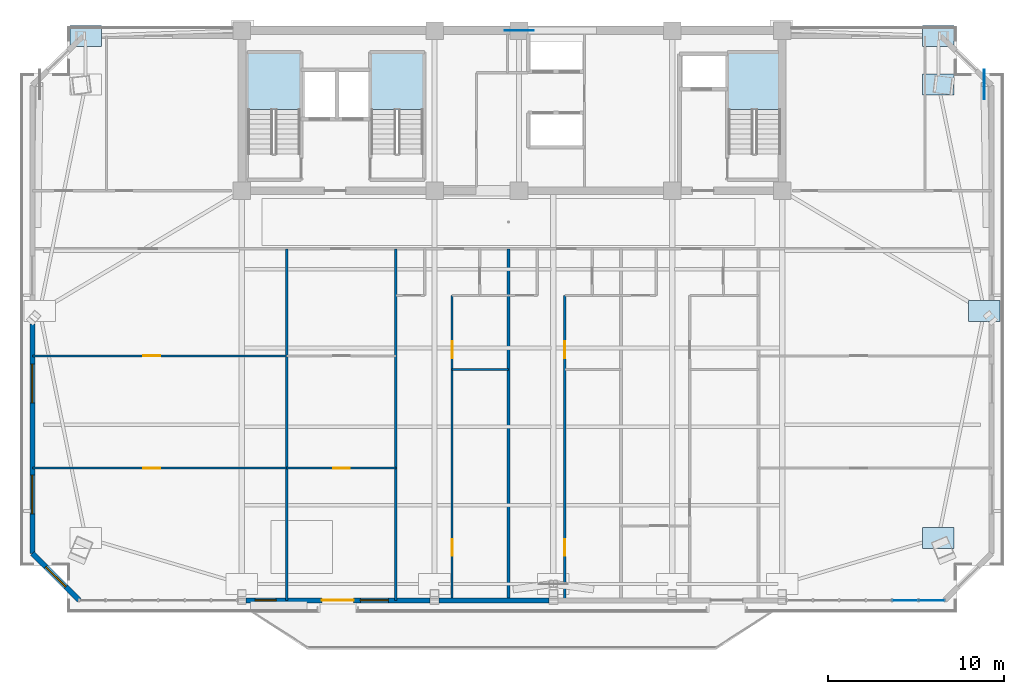
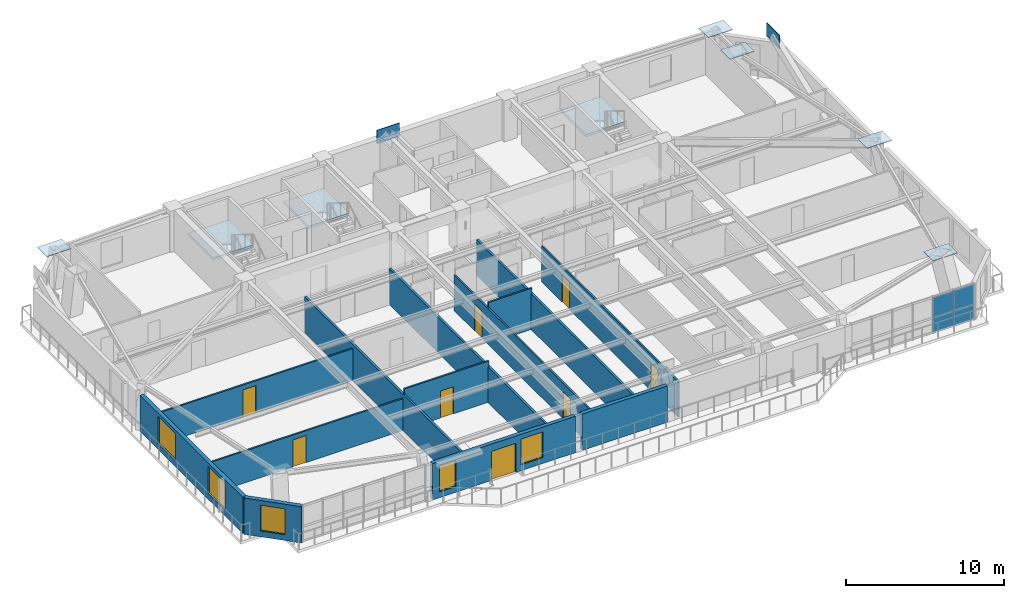
# One storey, part 8 of 18: 13 walls, 11 plates, 8 doors, 5 windows, 3 slabs, 13 openings, 4 elements without a shape of their own.
"""IFC4 building model written with IfcOpenShell, lengths in metres."""

from ifc_helpers import new_model, si_unit, direction, frame, frame_2d, origin, origin_2d, place, context, subcontext, project, spatial, polyline, rectangle, outline, extrude, source, transform, mapped, material, layer, layer_set, type_object, element, fill, aggregate, save


model = new_model("IFC4")

# Units and contexts
model_context = context("Model", 3, precision=1e-05, world=origin(), true_north=direction((0.0, 1.0)))
body_context = subcontext(model_context, "Body", "Model", "MODEL_VIEW")
ifc_project = project(units=[si_unit("LENGTHUNIT", "METRE"), si_unit("AREAUNIT", "SQUARE_METRE"), si_unit("VOLUMEUNIT", "CUBIC_METRE"), si_unit("PLANEANGLEUNIT", "RADIAN"), si_unit("MASSUNIT", "GRAM", prefix="KILO")], contexts=[model_context])

# Site, building, storey
site_placement = place(None, origin())
site = spatial("IfcSite", under=ifc_project, at=site_placement, CompositionType="ELEMENT")
building_placement = place(site_placement, origin())
building = spatial("IfcBuilding", under=site, at=building_placement, Name="Giltprow Tower", CompositionType="ELEMENT")
storey_placement = place(building_placement, frame((0.0, 0.0, 245.10009765625)))
storey = spatial("IfcBuildingStorey", under=building, at=storey_placement, Name="L62", CompositionType="ELEMENT", Elevation=245.10009765625)

# Stair, slab
ifc_material_1 = material(Name="Concrete C40", Category="concrete")
stair_type_1 = type_object("IfcStairType", Name="STR-ST-1", PredefinedType="HALF_TURN_STAIR", material=ifc_material_1)
stair_1_placement = place(storey_placement, origin())
stair_1 = element("IfcStair", 1, at=stair_1_placement, inside=storey, type_object=stair_type_1, Name="L62 Core Exit Stair ST-1", PredefinedType="HALF_TURN_STAIR")
ifc_layer_1 = layer(ifc_material_1, 0.179931640625, Name="Concrete C40")
ifc_layer_set_1 = layer_set([ifc_layer_1], Name="Concrete C40")
slab_type_1 = type_object("IfcSlabType", Name="SLD-ST-1", PredefinedType="LANDING", material=ifc_layer_set_1)
slab_1_placement = place(storey_placement, frame((0.0, 0.0, 1.52001953125)))
slab_1 = element("IfcSlab", 2, at=slab_1_placement, type_object=slab_type_1, Name="ST-1 landing 1", PredefinedType="LANDING", context=body_context, shape_type="SweptSolid", body=[
    extrude(outline(polyline([(23.159912109375, 42.070068359375), (23.159912109375, 45.25), (20.199951171875, 45.25), (20.199951171875, 42.070068359375), (23.159912109375, 42.070068359375)])), origin(), (0.0, 0.0, 1.0), 0.179931640625),
])
aggregate(stair_1, [slab_1])

stair_type_2 = type_object("IfcStairType", Name="STR-ST-2", PredefinedType="HALF_TURN_STAIR", material=ifc_material_1)
stair_2_placement = place(storey_placement, origin())
stair_2 = element("IfcStair", 3, at=stair_2_placement, inside=storey, type_object=stair_type_2, Name="L62 Core Exit Stair ST-2", PredefinedType="HALF_TURN_STAIR")
ifc_layer_2 = layer(ifc_material_1, 0.18798828125, Name="Concrete C40")
ifc_layer_set_2 = layer_set([ifc_layer_2], Name="Concrete C40")
slab_type_2 = type_object("IfcSlabType", Name="SLD-ST-2", PredefinedType="LANDING", material=ifc_layer_set_2)
slab_2_placement = place(storey_placement, frame((0.0, 0.0, 1.511962890625)))
slab_2 = element("IfcSlab", 4, at=slab_2_placement, type_object=slab_type_2, Name="ST-2 landing 1", PredefinedType="LANDING", context=body_context, shape_type="SweptSolid", body=[
    extrude(outline(polyline([(30.159912109375, 42.070068359375), (30.159912109375, 45.25), (27.199951171875, 45.25), (27.199951171875, 42.070068359375), (30.159912109375, 42.070068359375)])), origin(), (0.0, 0.0, 1.0), 0.18798828125),
])
aggregate(stair_2, [slab_2])

stair_type_3 = type_object("IfcStairType", Name="STR-ST-3", PredefinedType="HALF_TURN_STAIR", material=ifc_material_1)
stair_3_placement = place(storey_placement, origin())
stair_3 = element("IfcStair", 5, at=stair_3_placement, inside=storey, type_object=stair_type_3, Name="L62 Core Exit Stair ST-3", PredefinedType="HALF_TURN_STAIR")
ifc_layer_3 = layer(ifc_material_1, 0.196044921875, Name="Concrete C40")
ifc_layer_set_3 = layer_set([ifc_layer_3], Name="Concrete C40")
slab_type_3 = type_object("IfcSlabType", Name="SLD-ST-3", PredefinedType="LANDING", material=ifc_layer_set_3)
slab_3_placement = place(storey_placement, frame((0.0, 0.0, 1.50390625)))
slab_3 = element("IfcSlab", 6, at=slab_3_placement, type_object=slab_type_3, Name="ST-3 landing 1", PredefinedType="LANDING", context=body_context, shape_type="SweptSolid", body=[
    extrude(outline(polyline([(50.4599609375, 42.070068359375), (50.4599609375, 45.25), (47.5, 45.25), (47.5, 42.070068359375), (50.4599609375, 42.070068359375)])), origin(), (0.0, 0.0, 1.0), 0.196044921875),
])
aggregate(stair_3, [slab_3])

# Plates
ifc_material_2 = material(Name="Structural steel Q420GJC", Category="steel")
plate_type_1 = type_object("IfcPlateType", Name="PLT-NODE-CKN1", PredefinedType="USERDEFINED", material=ifc_material_2)
shared_shape_1 = source(origin(), body_context, "Body", "SweptSolid", [
    extrude(rectangle(XDim=1.800048828125, YDim=1.199951171875, at=origin_2d()), origin(), (0.0, 0.0, 1.0), 0.044921875),
])
for number, where, z_axis, x_axis, name in (
    (7, (59.422119140625, 17.72802734375, 3.142333984375), (0.0, 0.0, 1.0), (1.0, 0.0, 0.0), "CKN1 Column Taper Splice Node L62-MC_SE"),
    (8, (59.422119140625, 43.485107421875, 3.142333984375), (0.0, 0.0, 1.0), (1.0, 0.0, 0.0), "CKN1 Column Taper Splice Node L62-MC_NE"),
    (9, (62.037109375, 30.60693359375, 3.142333984375), (0.0, 0.0, 1.0), (1.0, 0.0, 0.0), "CKN1 Column Taper Splice Node L62-E_MID"),
    (10, (10.97900390625, 46.25, 3.142333984375), (0.0, 0.0, 1.0), (1.0, 0.0, 0.0), "CKN1 Column Taper Splice Node L62-N_W"),
    (11, (59.422119140625, 46.25, 3.142333984375), (0.0, 0.0, 1.0), (1.0, 0.0, 0.0), "CKN1 Column Taper Splice Node L62-N_E"),
):
    element("IfcPlate", number, at=place(storey_placement, frame(where, z_axis=z_axis, x_axis=x_axis)), inside=storey, type_object=plate_type_1, Name=name, ObjectType="SPLICE", PredefinedType="USERDEFINED", context=body_context, shape_type="MappedRepresentation", body=[
        mapped(shared_shape_1, transform((0.0, 0.0, 0.0), x_axis=(1.0, 0.0, 0.0), y_axis=(0.0, 1.0, 0.0), z_axis=(0.0, 0.0, 1.0), scale=1.0)),
    ])
plate_type_2 = type_object("IfcPlateType", Name="PLT-NODE-MBN2", PredefinedType="USERDEFINED", material=ifc_material_2)
shared_shape_2 = source(origin(), body_context, "Body", "SweptSolid", [
    extrude(rectangle(XDim=1.64990234375, YDim=0.044921875, at=origin_2d()), origin(), (0.0, 0.0, 1.0), 1.050048828125),
])
for number, where, z_axis, x_axis, name in (
    (12, (35.60009765625, 46.550048828125, 2.73486328125), (0.0, 0.0, 1.0), (1.0, 0.0, 0.0), "Mega-Brace Node L62-N-LB"),
    (13, (62.037109375, 43.485107421875, 2.875), (0.0, 0.0, 1.0), (0.0, 1.0, 0.0), "Mega-Brace Node L62-E-DB"),
):
    element("IfcPlate", number, at=place(storey_placement, frame(where, z_axis=z_axis, x_axis=x_axis)), inside=storey, type_object=plate_type_2, Name=name, ObjectType="GUSSET", PredefinedType="USERDEFINED", context=body_context, shape_type="MappedRepresentation", body=[
        mapped(shared_shape_2, transform((0.0, 0.0, 0.0), x_axis=(1.0, 0.0, 0.0), y_axis=(0.0, 1.0, 0.0), z_axis=(0.0, 0.0, 1.0), scale=1.0)),
    ])

# Curtain wall, plates
ifc_material_3 = material(Name="Anodized bronze", Category="metal")
ifc_layer_4 = layer(ifc_material_3, 0.179931640625, Name="Anodized bronze")
ifc_layer_set_4 = layer_set([ifc_layer_4], Name="Anodized bronze")
curtain_wall_type = type_object("IfcCurtainWallType", Name="CW-RES-SKY", PredefinedType="NOTDEFINED", material=ifc_layer_set_4)
curtain_wall_placement = place(storey_placement, origin())
curtain_wall = element("IfcCurtainWall", 14, at=curtain_wall_placement, inside=storey, type_object=curtain_wall_type, Name="L62 South Recessed Curtain Wall 6", PredefinedType="NOTDEFINED")
ifc_material_4 = material(Name="Insulated glass", Category="glass")
plate_type_3 = type_object("IfcPlateType", Name="CW-PANEL-IGU-28", PredefinedType="CURTAIN_PANEL", material=ifc_material_4)
shared_shape_3 = source(origin(), body_context, "Body", "SweptSolid", [
    extrude(rectangle(XDim=1.468994140625, YDim=0.028076171875, at=origin_2d()), origin(), (0.0, 0.0, 1.0), 1.114013671875),
])
plate_1_placement = place(storey_placement, frame((57.54296875, 14.181884765625, 0.0537109375), z_axis=(0.0, 0.0, 1.0), x_axis=(1.0, 0.0, 0.0)))
plate_1 = element("IfcPlate", 15, at=plate_1_placement, type_object=plate_type_3, Name="L62 South Recessed Curtain Wall 6 Glazing Panel 5-1", PredefinedType="CURTAIN_PANEL", context=body_context, shape_type="MappedRepresentation", body=[
    mapped(shared_shape_3, transform((0.0, 0.0, 0.0), x_axis=(1.0, 0.0, 0.0), y_axis=(0.0, 1.0, 0.0), z_axis=(0.0, 0.0, 1.0), scale=1.0)),
])
plate_2_placement = place(storey_placement, frame((59.0419921875, 14.181884765625, 0.0537109375), z_axis=(0.0, 0.0, 1.0), x_axis=(1.0, 0.0, 0.0)))
plate_2 = element("IfcPlate", 16, at=plate_2_placement, type_object=plate_type_3, Name="L62 South Recessed Curtain Wall 6 Glazing Panel 6-1", PredefinedType="CURTAIN_PANEL", context=body_context, shape_type="MappedRepresentation", body=[
    mapped(shared_shape_3, transform((0.0, 0.0, 0.0), x_axis=(1.0, 0.0, 0.0), y_axis=(0.0, 1.0, 0.0), z_axis=(0.0, 0.0, 1.0), scale=1.0)),
])
shared_shape_4 = source(origin(), body_context, "Body", "SweptSolid", [
    extrude(rectangle(XDim=1.468994140625, YDim=0.028076171875, at=origin_2d()), origin(), (0.0, 0.0, 1.0), 1.56494140625),
])
plate_3_placement = place(storey_placement, frame((57.54296875, 14.181884765625, 1.196533203125), z_axis=(0.0, 0.0, 1.0), x_axis=(1.0, 0.0, 0.0)))
plate_3 = element("IfcPlate", 17, at=plate_3_placement, type_object=plate_type_3, Name="L62 South Recessed Curtain Wall 6 Glazing Panel 5-2", PredefinedType="CURTAIN_PANEL", context=body_context, shape_type="MappedRepresentation", body=[
    mapped(shared_shape_4, transform((0.0, 0.0, 0.0), x_axis=(1.0, 0.0, 0.0), y_axis=(0.0, 1.0, 0.0), z_axis=(0.0, 0.0, 1.0), scale=1.0)),
])
plate_4_placement = place(storey_placement, frame((59.0419921875, 14.181884765625, 1.196533203125), z_axis=(0.0, 0.0, 1.0), x_axis=(1.0, 0.0, 0.0)))
plate_4 = element("IfcPlate", 18, at=plate_4_placement, type_object=plate_type_3, Name="L62 South Recessed Curtain Wall 6 Glazing Panel 6-2", PredefinedType="CURTAIN_PANEL", context=body_context, shape_type="MappedRepresentation", body=[
    mapped(shared_shape_4, transform((0.0, 0.0, 0.0), x_axis=(1.0, 0.0, 0.0), y_axis=(0.0, 1.0, 0.0), z_axis=(0.0, 0.0, 1.0), scale=1.0)),
])
aggregate(curtain_wall, [plate_1, plate_3, plate_2, plate_4])

# Wall, opening, window
ifc_material_5 = material(Name="Precast concrete C40", Category="concrete")
ifc_layer_5 = layer(ifc_material_5, 0.300048828125, Name="Precast concrete C40")
ifc_layer_set_5 = layer_set([ifc_layer_5], Name="Precast concrete C40")
wall_type_1 = type_object("IfcWallType", Name="EW-NOTCH-CHAMFER-300", PredefinedType="SOLIDWALL", material=ifc_layer_set_5)
wall_1_placement = place(storey_placement, frame((7.947998046875, 16.843017578125, 0.0), z_axis=(0.0, 0.0, 1.0), x_axis=(0.707074342864, -0.707139218021, 0.0)))
wall_1 = element("IfcWall", 19, at=wall_1_placement, inside=storey, type_object=wall_type_1, Name="L62 Corner Notch Wall SW", PredefinedType="SOLIDWALL", context=body_context, shape_type="SweptSolid", body=[
    extrude(rectangle(XDim=3.76318359375, YDim=0.300048828125, at=frame_2d((1.881591796875, 0.0))), origin(), (0.0, 0.0, 1.0), 2.81494140625),
])
opening_1_placement = place(wall_1_placement, frame((1.08203125, 0.0, 0.449951171875)))
opening_1 = element("IfcOpeningElement", 20, at=opening_1_placement, cuts=wall_1, Name="Opening WN17", PredefinedType="OPENING", context=body_context, shape_type="SweptSolid", body=[
    extrude(rectangle(XDim=1.60009765625, YDim=2.0, at=frame_2d((0.800048828125, 1.0))), frame((0.0, 0.159912109375, 0.0), z_axis=(0.0, -1.0, 0.0), x_axis=(1.0, 0.0, 0.0)), (0.0, 0.0, 1.0), 0.320068359375),
])
window_type_1 = type_object("IfcWindowType", Name="WN-COR-1600x2000", PartitioningType="SINGLE_PANEL", PredefinedType="WINDOW", material=ifc_material_4)
shared_shape_5 = source(origin(), body_context, "Body", "SweptSolid", [
    extrude(rectangle(XDim=1.60009765625, YDim=2.0, at=frame_2d((0.800048828125, 1.0))), frame((0.0, 0.030029296875, 0.0), z_axis=(0.0, -1.0, 0.0), x_axis=(1.0, 0.0, 0.0)), (0.0, 0.0, 1.0), 0.06005859375),
])
window_1_placement = place(opening_1_placement, origin())
window_1 = element("IfcWindow", 21, at=window_1_placement, inside=storey, type_object=window_type_1, Name="L62 Corner Notch Window SW", OverallHeight=2.0, OverallWidth=1.60009765625, PartitioningType="SINGLE_PANEL", PredefinedType="WINDOW", context=body_context, shape_type="MappedRepresentation", body=[
    mapped(shared_shape_5, transform((0.0, 0.0, 0.0), x_axis=(1.0, 0.0, 0.0), y_axis=(0.0, 1.0, 0.0), z_axis=(0.0, 0.0, 1.0), scale=1.0)),
])
fill(opening_1, window_1)

# Wall, openings, windows, door
ifc_layer_6 = layer(ifc_material_5, 0.280029296875, Name="Precast concrete C40")
ifc_layer_set_6 = layer_set([ifc_layer_6], Name="Precast concrete C40")
wall_type_2 = type_object("IfcWallType", Name="EW-TOW-BRONZE-280", PredefinedType="SOLIDWALL", material=ifc_layer_set_6)
wall_2_placement = place(storey_placement, frame((20.10009765625, 14.181884765625, 0.0), z_axis=(0.0, 0.0, 1.0), x_axis=(1.0, 0.0, 0.0)))
wall_2 = element("IfcWall", 22, at=wall_2_placement, inside=storey, type_object=wall_type_2, Name="L62 South Expressed Frame Wall 2", PredefinedType="SOLIDWALL", context=body_context, shape_type="SweptSolid", body=[
    extrude(rectangle(XDim=10.449951171875, YDim=0.280029296875, at=frame_2d((5.22509765625, 0.0))), origin(), (0.0, 0.0, 1.0), 2.81494140625),
])
opening_2_placement = place(wall_2_placement, frame((4.300048828125, 0.0, 0.0)))
opening_2 = element("IfcOpeningElement", 23, at=opening_2_placement, cuts=wall_2, Name="Opening ED25", PredefinedType="OPENING", context=body_context, shape_type="SweptSolid", body=[
    extrude(rectangle(XDim=1.800048828125, YDim=2.25, at=frame_2d((0.89990234375, 1.125))), frame((0.0, 0.14990234375, 0.0), z_axis=(0.0, -1.0, 0.0), x_axis=(1.0, 0.0, 0.0)), (0.0, 0.0, 1.0), 0.300048828125),
])
opening_3_placement = place(wall_2_placement, frame((0.5048828125, 0.0, 0.449951171875)))
opening_3 = element("IfcOpeningElement", 24, at=opening_3_placement, cuts=wall_2, Name="Opening WN11", PredefinedType="OPENING", context=body_context, shape_type="SweptSolid", body=[
    extrude(rectangle(XDim=1.199951171875, YDim=2.0, at=frame_2d((0.60009765625, 1.0))), frame((0.0, 0.14990234375, 0.0), z_axis=(0.0, -1.0, 0.0), x_axis=(1.0, 0.0, 0.0)), (0.0, 0.0, 1.0), 0.300048828125),
])
opening_4_placement = place(wall_2_placement, frame((6.47998046875, 0.0, 0.449951171875)))
opening_4 = element("IfcOpeningElement", 25, at=opening_4_placement, cuts=wall_2, Name="Opening WN17", PredefinedType="OPENING", context=body_context, shape_type="SweptSolid", body=[
    extrude(rectangle(XDim=1.60009765625, YDim=2.0, at=frame_2d((0.800048828125, 1.0))), frame((0.0, 0.14990234375, 0.0), z_axis=(0.0, -1.0, 0.0), x_axis=(1.0, 0.0, 0.0)), (0.0, 0.0, 1.0), 0.300048828125),
])
window_2_placement = place(opening_4_placement, origin())
window_2 = element("IfcWindow", 26, at=window_2_placement, inside=storey, type_object=window_type_1, Name="L62 South Window 2B", OverallHeight=2.0, OverallWidth=1.60009765625, PartitioningType="SINGLE_PANEL", PredefinedType="WINDOW", context=body_context, shape_type="MappedRepresentation", body=[
    mapped(shared_shape_5, transform((0.0, 0.0, 0.0), x_axis=(1.0, 0.0, 0.0), y_axis=(0.0, 1.0, 0.0), z_axis=(0.0, 0.0, 1.0), scale=1.0)),
])
fill(opening_4, window_2)
ifc_material_6 = material(Name="Anodized bronze and glass", Category="glass")
door_type_1 = type_object("IfcDoorType", Name="DR-BALC-SLIDE-1800", OperationType="SLIDING_TO_LEFT", PredefinedType="DOOR", material=ifc_material_6)
shared_shape_6 = source(origin(), body_context, "Body", "SweptSolid", [
    extrude(rectangle(XDim=1.800048828125, YDim=2.25, at=frame_2d((0.89990234375, 1.125))), frame((0.0, 0.02490234375, 0.0), z_axis=(0.0, -1.0, 0.0), x_axis=(1.0, 0.0, 0.0)), (0.0, 0.0, 1.0), 0.050048828125),
])
door_1_placement = place(opening_2_placement, origin())
door_1 = element("IfcDoor", 27, at=door_1_placement, inside=storey, type_object=door_type_1, Name="L62 Waterfront Balcony Sliding Door 1", OperationType="SLIDING_TO_LEFT", OverallHeight=2.25, OverallWidth=1.800048828125, PredefinedType="DOOR", context=body_context, shape_type="MappedRepresentation", body=[
    mapped(shared_shape_6, transform((0.0, 0.0, 0.0), x_axis=(1.0, 0.0, 0.0), y_axis=(0.0, 1.0, 0.0), z_axis=(0.0, 0.0, 1.0), scale=1.0)),
])
fill(opening_2, door_1)
window_type_2 = type_object("IfcWindowType", Name="WN-LANCET-1200x2000", PartitioningType="SINGLE_PANEL", PredefinedType="WINDOW", material=ifc_material_4)
shared_shape_7 = source(origin(), body_context, "Body", "SweptSolid", [
    extrude(rectangle(XDim=1.199951171875, YDim=2.0, at=frame_2d((0.60009765625, 1.0))), frame((0.0, 0.030029296875, 0.0), z_axis=(0.0, -1.0, 0.0), x_axis=(1.0, 0.0, 0.0)), (0.0, 0.0, 1.0), 0.06005859375),
])
window_3_placement = place(opening_3_placement, origin())
window_3 = element("IfcWindow", 28, at=window_3_placement, inside=storey, type_object=window_type_2, Name="L62 South Window 2A", OverallHeight=2.0, OverallWidth=1.199951171875, PartitioningType="SINGLE_PANEL", PredefinedType="WINDOW", context=body_context, shape_type="MappedRepresentation", body=[
    mapped(shared_shape_7, transform((0.0, 0.0, 0.0), x_axis=(1.0, 0.0, 0.0), y_axis=(0.0, 1.0, 0.0), z_axis=(0.0, 0.0, 1.0), scale=1.0)),
])
fill(opening_3, window_3)

# Wall
wall_3_placement = place(storey_placement, frame((31.050048828125, 14.181884765625, 0.0), z_axis=(0.0, 0.0, 1.0), x_axis=(1.0, 0.0, 0.0)))
element("IfcWall", 29, at=wall_3_placement, inside=storey, type_object=wall_type_2, Name="L62 South Expressed Frame Wall 3", PredefinedType="SOLIDWALL", context=body_context, shape_type="SweptSolid", body=[
    extrude(rectangle(XDim=6.25, YDim=0.280029296875, at=frame_2d((3.125, 0.0))), origin(), (0.0, 0.0, 1.0), 2.81494140625),
])

# Wall, openings, windows
wall_4_placement = place(storey_placement, frame((7.947998046875, 16.843017578125, 0.0), z_axis=(0.0, 0.0, 1.0), x_axis=(0.0, 1.0, 0.0)))
wall_4 = element("IfcWall", 30, at=wall_4_placement, inside=storey, type_object=wall_type_2, Name="L62 W Wing Masonry Wall 1", PredefinedType="SOLIDWALL", context=body_context, shape_type="SweptSolid", body=[
    extrude(rectangle(XDim=13.048095703125, YDim=0.280029296875, at=frame_2d((6.52392578125, 0.0))), origin(), (0.0, 0.0, 1.0), 2.81494140625),
])
opening_5_placement = place(wall_4_placement, frame((2.2470703125, 0.0, 0.449951171875)))
opening_5 = element("IfcOpeningElement", 31, at=opening_5_placement, cuts=wall_4, Name="Opening WN27", PredefinedType="OPENING", context=body_context, shape_type="SweptSolid", body=[
    extrude(rectangle(XDim=2.199951171875, YDim=2.10009765625, at=frame_2d((1.10009765625, 1.050048828125))), frame((0.0, 0.14990234375, 0.0), z_axis=(0.0, -1.0, 0.0), x_axis=(1.0, 0.0, 0.0)), (0.0, 0.0, 1.0), 0.300048828125),
])
opening_6_placement = place(wall_4_placement, frame((8.555908203125, 0.0, 0.449951171875)))
opening_6 = element("IfcOpeningElement", 32, at=opening_6_placement, cuts=wall_4, Name="Opening WN27", PredefinedType="OPENING", context=body_context, shape_type="SweptSolid", body=[
    extrude(rectangle(XDim=2.199951171875, YDim=2.10009765625, at=frame_2d((1.10009765625, 1.050048828125))), frame((0.0, 0.14990234375, 0.0), z_axis=(0.0, -1.0, 0.0), x_axis=(1.0, 0.0, 0.0)), (0.0, 0.0, 1.0), 0.300048828125),
])
window_type_3 = type_object("IfcWindowType", Name="WN-RES-2200x2100", PartitioningType="TRIPLE_PANEL_VERTICAL", PredefinedType="WINDOW", material=ifc_material_4)
shared_shape_8 = source(origin(), body_context, "Body", "SweptSolid", [
    extrude(rectangle(XDim=2.199951171875, YDim=2.10009765625, at=frame_2d((1.10009765625, 1.050048828125))), frame((0.0, 0.030029296875, 0.0), z_axis=(0.0, -1.0, 0.0), x_axis=(1.0, 0.0, 0.0)), (0.0, 0.0, 1.0), 0.06005859375),
])
window_4_placement = place(opening_5_placement, origin())
window_4 = element("IfcWindow", 33, at=window_4_placement, inside=storey, type_object=window_type_3, Name="L62 W Wing Window 1-1A", OverallHeight=2.10009765625, OverallWidth=2.199951171875, PartitioningType="SINGLE_PANEL", PredefinedType="WINDOW", context=body_context, shape_type="MappedRepresentation", body=[
    mapped(shared_shape_8, transform((0.0, 0.0, 0.0), x_axis=(1.0, 0.0, 0.0), y_axis=(0.0, 1.0, 0.0), z_axis=(0.0, 0.0, 1.0), scale=1.0)),
])
fill(opening_5, window_4)
window_5_placement = place(opening_6_placement, origin())
window_5 = element("IfcWindow", 34, at=window_5_placement, inside=storey, type_object=window_type_3, Name="L62 W Wing Window 1-1B", OverallHeight=2.10009765625, OverallWidth=2.199951171875, PartitioningType="SINGLE_PANEL", PredefinedType="WINDOW", context=body_context, shape_type="MappedRepresentation", body=[
    mapped(shared_shape_8, transform((0.0, 0.0, 0.0), x_axis=(1.0, 0.0, 0.0), y_axis=(0.0, 1.0, 0.0), z_axis=(0.0, 0.0, 1.0), scale=1.0)),
])
fill(opening_6, window_5)

# Walls
ifc_material_7 = material(Name="Gypsum stud partition", Category="gypsum")
ifc_layer_7 = layer(ifc_material_7, 0.159912109375, Name="Gypsum stud partition")
ifc_layer_set_7 = layer_set([ifc_layer_7], Name="Gypsum stud partition")
wall_type_3 = type_object("IfcWallType", Name="IW-DEMISE-160", PredefinedType="PARTITIONING", material=ifc_layer_set_7)
for number, where, z_axis, x_axis, name in (
    (35, (22.39990234375, 14.181884765625, 0.0), (0.0, 0.0, 1.0), (0.0, 1.0, 0.0), "L62 Apartment Party Wall 1"),
    (36, (28.60009765625, 14.181884765625, 0.0), (0.0, 0.0, 1.0), (0.0, 1.0, 0.0), "L62 Apartment Party Wall 2"),
    (37, (35.0, 14.181884765625, 0.0), (0.0, 0.0, 1.0), (0.0, 1.0, 0.0), "L62 Apartment Party Wall 3"),
):
    element("IfcWall", number, at=place(storey_placement, frame(where, z_axis=z_axis, x_axis=x_axis)), inside=storey, type_object=wall_type_3, Name=name, PredefinedType="PARTITIONING", context=body_context, shape_type="SweptSolid", body=[
        extrude(rectangle(XDim=19.968017578125, YDim=0.159912109375, at=frame_2d((9.98388671875, 0.0))), origin(), (0.0, 0.0, 1.0), 2.77001953125),
    ])

# Wall, opening, door
ifc_layer_8 = layer(ifc_material_7, 0.1201171875, Name="Gypsum stud partition")
ifc_layer_set_8 = layer_set([ifc_layer_8], Name="Gypsum stud partition")
wall_type_4 = type_object("IfcWallType", Name="IW-ROOM-120", PredefinedType="PARTITIONING", material=ifc_layer_set_8)
wall_5_placement = place(storey_placement, frame((7.947998046875, 21.68994140625, 0.0), z_axis=(0.0, 0.0, 1.0), x_axis=(1.0, 0.0, 0.0)))
wall_5 = element("IfcWall", 38, at=wall_5_placement, inside=storey, type_object=wall_type_4, Name="L62 Special Split 1", PredefinedType="PARTITIONING", context=body_context, shape_type="SweptSolid", body=[
    extrude(rectangle(XDim=14.451904296875, YDim=0.1201171875, at=frame_2d((7.22607421875, 0.0))), origin(), (0.0, 0.0, 1.0), 2.469970703125),
])
opening_7_placement = place(wall_5_placement, frame((6.31591796875, 0.0, 0.0)))
opening_7 = element("IfcOpeningElement", 39, at=opening_7_placement, cuts=wall_5, Name="Opening ID11", PredefinedType="OPENING", context=body_context, shape_type="SweptSolid", body=[
    extrude(rectangle(XDim=0.949951171875, YDim=2.10009765625, at=frame_2d((0.47509765625, 1.050048828125))), frame((0.0, 0.070068359375, 0.0), z_axis=(0.0, -1.0, 0.0), x_axis=(1.0, 0.0, 0.0)), (0.0, 0.0, 1.0), 0.14013671875),
])
ifc_material_8 = material(Name="Engineered timber", Category="wood")
door_type_2 = type_object("IfcDoorType", Name="DR-ROOM-950", OperationType="SINGLE_SWING_RIGHT", PredefinedType="DOOR", material=ifc_material_8)
shared_shape_9 = source(origin(), body_context, "Body", "SweptSolid", [
    extrude(rectangle(XDim=0.949951171875, YDim=2.10009765625, at=frame_2d((0.47509765625, 1.050048828125))), frame((0.0, 0.02490234375, 0.0), z_axis=(0.0, -1.0, 0.0), x_axis=(1.0, 0.0, 0.0)), (0.0, 0.0, 1.0), 0.050048828125),
])
door_2_placement = place(opening_7_placement, origin())
door_2 = element("IfcDoor", 40, at=door_2_placement, inside=storey, type_object=door_type_2, Name="L62 Residents Home Office 1 South Door", OperationType="SINGLE_SWING_RIGHT", OverallHeight=2.10009765625, OverallWidth=0.949951171875, PredefinedType="DOOR", context=body_context, shape_type="MappedRepresentation", body=[
    mapped(shared_shape_9, transform((0.0, 0.0, 0.0), x_axis=(1.0, 0.0, 0.0), y_axis=(0.0, 1.0, 0.0), z_axis=(0.0, 0.0, 1.0), scale=1.0)),
])
fill(opening_7, door_2)

wall_6_placement = place(storey_placement, frame((7.947998046875, 28.068115234375, 0.0), z_axis=(0.0, 0.0, 1.0), x_axis=(1.0, 0.0, 0.0)))
wall_6 = element("IfcWall", 41, at=wall_6_placement, inside=storey, type_object=wall_type_4, Name="L62 Special Split 2", PredefinedType="PARTITIONING", context=body_context, shape_type="SweptSolid", body=[
    extrude(rectangle(XDim=14.451904296875, YDim=0.1201171875, at=frame_2d((7.22607421875, 0.0))), origin(), (0.0, 0.0, 1.0), 2.469970703125),
])
opening_8_placement = place(wall_6_placement, frame((6.31591796875, 0.0, 0.0)))
opening_8 = element("IfcOpeningElement", 42, at=opening_8_placement, cuts=wall_6, Name="Opening ID11", PredefinedType="OPENING", context=body_context, shape_type="SweptSolid", body=[
    extrude(rectangle(XDim=0.949951171875, YDim=2.10009765625, at=frame_2d((0.47509765625, 1.050048828125))), frame((0.0, 0.070068359375, 0.0), z_axis=(0.0, -1.0, 0.0), x_axis=(1.0, 0.0, 0.0)), (0.0, 0.0, 1.0), 0.14013671875),
])
door_3_placement = place(opening_8_placement, origin())
door_3 = element("IfcDoor", 43, at=door_3_placement, inside=storey, type_object=door_type_2, Name="L62 Residents Home Office 1 Mid Door", OperationType="SINGLE_SWING_LEFT", OverallHeight=2.10009765625, OverallWidth=0.949951171875, PredefinedType="DOOR", context=body_context, shape_type="MappedRepresentation", body=[
    mapped(shared_shape_9, transform((0.0, 0.0, 0.0), x_axis=(1.0, 0.0, 0.0), y_axis=(0.0, 1.0, 0.0), z_axis=(0.0, 0.0, 1.0), scale=1.0)),
])
fill(opening_8, door_3)

wall_7_placement = place(storey_placement, frame((22.39990234375, 21.68994140625, 0.0), z_axis=(0.0, 0.0, 1.0), x_axis=(1.0, 0.0, 0.0)))
wall_7 = element("IfcWall", 44, at=wall_7_placement, inside=storey, type_object=wall_type_4, Name="L62 Special Split 1", PredefinedType="PARTITIONING", context=body_context, shape_type="SweptSolid", body=[
    extrude(rectangle(XDim=6.2001953125, YDim=0.1201171875, at=frame_2d((3.10009765625, 0.0))), origin(), (0.0, 0.0, 1.0), 3.184814453125),
])
opening_9_placement = place(wall_7_placement, frame((2.64599609375, 0.0, 0.0)))
opening_9 = element("IfcOpeningElement", 45, at=opening_9_placement, cuts=wall_7, Name="Opening ID11", PredefinedType="OPENING", context=body_context, shape_type="SweptSolid", body=[
    extrude(rectangle(XDim=0.949951171875, YDim=2.10009765625, at=frame_2d((0.47509765625, 1.050048828125))), frame((0.0, 0.070068359375, 0.0), z_axis=(0.0, -1.0, 0.0), x_axis=(1.0, 0.0, 0.0)), (0.0, 0.0, 1.0), 0.14013671875),
])
door_4_placement = place(opening_9_placement, origin())
door_4 = element("IfcDoor", 46, at=door_4_placement, inside=storey, type_object=door_type_2, Name="L62 Legal Study Office 2 South Door", OperationType="SINGLE_SWING_LEFT", OverallHeight=2.10009765625, OverallWidth=0.949951171875, PredefinedType="DOOR", context=body_context, shape_type="MappedRepresentation", body=[
    mapped(shared_shape_9, transform((0.0, 0.0, 0.0), x_axis=(1.0, 0.0, 0.0), y_axis=(0.0, 1.0, 0.0), z_axis=(0.0, 0.0, 1.0), scale=1.0)),
])
fill(opening_9, door_4)

# Wall, openings, doors
wall_8_placement = place(storey_placement, frame((31.800048828125, 14.181884765625, 0.0), z_axis=(0.0, 0.0, 1.0), x_axis=(0.0, 1.0, 0.0)))
wall_8 = element("IfcWall", 47, at=wall_8_placement, inside=storey, type_object=wall_type_4, Name="L62 Unit 1 Bedroom Wall", PredefinedType="PARTITIONING", context=body_context, shape_type="SweptSolid", body=[
    extrude(rectangle(XDim=17.318115234375, YDim=0.1201171875, at=frame_2d((8.6591796875, 0.0))), origin(), (0.0, 0.0, 1.0), 2.77001953125),
])
opening_10_placement = place(wall_8_placement, frame((2.52099609375, 0.0, 0.0)))
opening_10 = element("IfcOpeningElement", 48, at=opening_10_placement, cuts=wall_8, Name="Opening ID11", PredefinedType="OPENING", context=body_context, shape_type="SweptSolid", body=[
    extrude(rectangle(XDim=0.949951171875, YDim=2.10009765625, at=frame_2d((0.47509765625, 1.050048828125))), frame((0.0, 0.070068359375, 0.0), z_axis=(0.0, -1.0, 0.0), x_axis=(1.0, 0.0, 0.0)), (0.0, 0.0, 1.0), 0.14013671875),
])
opening_11_placement = place(wall_8_placement, frame((13.758056640625, 0.0, 0.0)))
opening_11 = element("IfcOpeningElement", 49, at=opening_11_placement, cuts=wall_8, Name="Opening ID11", PredefinedType="OPENING", context=body_context, shape_type="SweptSolid", body=[
    extrude(rectangle(XDim=0.949951171875, YDim=2.10009765625, at=frame_2d((0.47509765625, 1.050048828125))), frame((0.0, 0.070068359375, 0.0), z_axis=(0.0, -1.0, 0.0), x_axis=(1.0, 0.0, 0.0)), (0.0, 0.0, 1.0), 0.14013671875),
])
door_5_placement = place(opening_10_placement, origin())
door_5 = element("IfcDoor", 50, at=door_5_placement, inside=storey, type_object=door_type_2, Name="L62 Unit 1 Primary Bedroom Door", OperationType="SINGLE_SWING_LEFT", OverallHeight=2.10009765625, OverallWidth=0.949951171875, PredefinedType="DOOR", context=body_context, shape_type="MappedRepresentation", body=[
    mapped(shared_shape_9, transform((0.0, 0.0, 0.0), x_axis=(1.0, 0.0, 0.0), y_axis=(0.0, 1.0, 0.0), z_axis=(0.0, 0.0, 1.0), scale=1.0)),
])
fill(opening_10, door_5)
door_6_placement = place(opening_11_placement, origin())
door_6 = element("IfcDoor", 51, at=door_6_placement, inside=storey, type_object=door_type_2, Name="L62 Unit 1 Second Bedroom Door", OperationType="SINGLE_SWING_RIGHT", OverallHeight=2.10009765625, OverallWidth=0.949951171875, PredefinedType="DOOR", context=body_context, shape_type="MappedRepresentation", body=[
    mapped(shared_shape_9, transform((0.0, 0.0, 0.0), x_axis=(1.0, 0.0, 0.0), y_axis=(0.0, 1.0, 0.0), z_axis=(0.0, 0.0, 1.0), scale=1.0)),
])
fill(opening_11, door_6)

# Wall
wall_9_placement = place(storey_placement, frame((31.800048828125, 27.300048828125, 0.0), z_axis=(0.0, 0.0, 1.0), x_axis=(1.0, 0.0, 0.0)))
element("IfcWall", 52, at=wall_9_placement, inside=storey, type_object=wall_type_4, Name="L62 Unit 1 Second Bedroom Wall", PredefinedType="PARTITIONING", context=body_context, shape_type="SweptSolid", body=[
    extrude(rectangle(XDim=3.199951171875, YDim=0.1201171875, at=frame_2d((1.60009765625, 0.0))), origin(), (0.0, 0.0, 1.0), 3.184814453125),
])

# Wall, openings, doors
wall_10_placement = place(storey_placement, frame((38.199951171875, 14.181884765625, 0.0), z_axis=(0.0, 0.0, 1.0), x_axis=(0.0, 1.0, 0.0)))
wall_10 = element("IfcWall", 53, at=wall_10_placement, inside=storey, type_object=wall_type_4, Name="L62 Unit 2 Bedroom Wall", PredefinedType="PARTITIONING", context=body_context, shape_type="SweptSolid", body=[
    extrude(rectangle(XDim=17.318115234375, YDim=0.1201171875, at=frame_2d((8.6591796875, 0.0))), origin(), (0.0, 0.0, 1.0), 2.77001953125),
])
opening_12_placement = place(wall_10_placement, frame((2.52099609375, 0.0, 0.0)))
opening_12 = element("IfcOpeningElement", 54, at=opening_12_placement, cuts=wall_10, Name="Opening ID11", PredefinedType="OPENING", context=body_context, shape_type="SweptSolid", body=[
    extrude(rectangle(XDim=0.949951171875, YDim=2.10009765625, at=frame_2d((0.47509765625, 1.050048828125))), frame((0.0, 0.070068359375, 0.0), z_axis=(0.0, -1.0, 0.0), x_axis=(1.0, 0.0, 0.0)), (0.0, 0.0, 1.0), 0.14013671875),
])
opening_13_placement = place(wall_10_placement, frame((13.758056640625, 0.0, 0.0)))
opening_13 = element("IfcOpeningElement", 55, at=opening_13_placement, cuts=wall_10, Name="Opening ID11", PredefinedType="OPENING", context=body_context, shape_type="SweptSolid", body=[
    extrude(rectangle(XDim=0.949951171875, YDim=2.10009765625, at=frame_2d((0.47509765625, 1.050048828125))), frame((0.0, 0.070068359375, 0.0), z_axis=(0.0, -1.0, 0.0), x_axis=(1.0, 0.0, 0.0)), (0.0, 0.0, 1.0), 0.14013671875),
])
door_7_placement = place(opening_12_placement, origin())
door_7 = element("IfcDoor", 56, at=door_7_placement, inside=storey, type_object=door_type_2, Name="L62 Unit 2 Primary Bedroom Door", OperationType="SINGLE_SWING_RIGHT", OverallHeight=2.10009765625, OverallWidth=0.949951171875, PredefinedType="DOOR", context=body_context, shape_type="MappedRepresentation", body=[
    mapped(shared_shape_9, transform((0.0, 0.0, 0.0), x_axis=(1.0, 0.0, 0.0), y_axis=(0.0, 1.0, 0.0), z_axis=(0.0, 0.0, 1.0), scale=1.0)),
])
fill(opening_12, door_7)
door_8_placement = place(opening_13_placement, origin())
door_8 = element("IfcDoor", 57, at=door_8_placement, inside=storey, type_object=door_type_2, Name="L62 Unit 2 Second Bedroom Door", OperationType="SINGLE_SWING_LEFT", OverallHeight=2.10009765625, OverallWidth=0.949951171875, PredefinedType="DOOR", context=body_context, shape_type="MappedRepresentation", body=[
    mapped(shared_shape_9, transform((0.0, 0.0, 0.0), x_axis=(1.0, 0.0, 0.0), y_axis=(0.0, 1.0, 0.0), z_axis=(0.0, 0.0, 1.0), scale=1.0)),
])
fill(opening_13, door_8)

save(model, "model.ifc")
